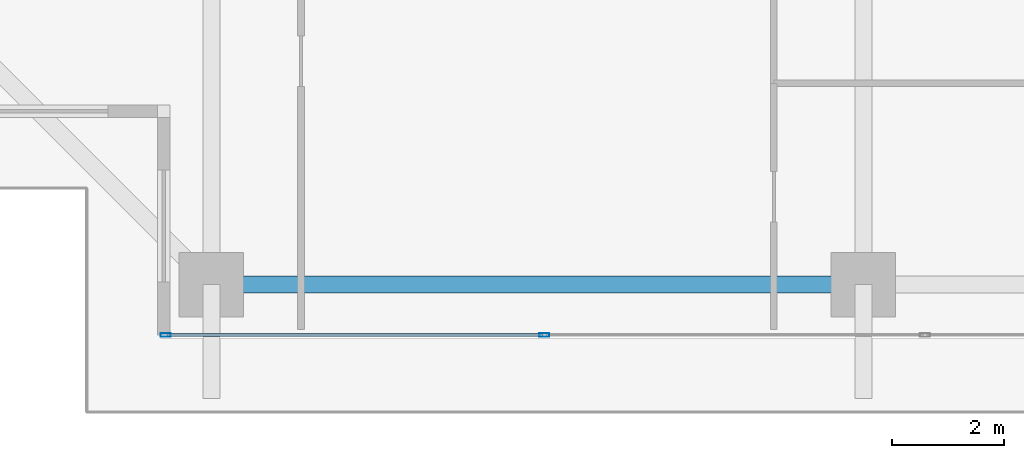
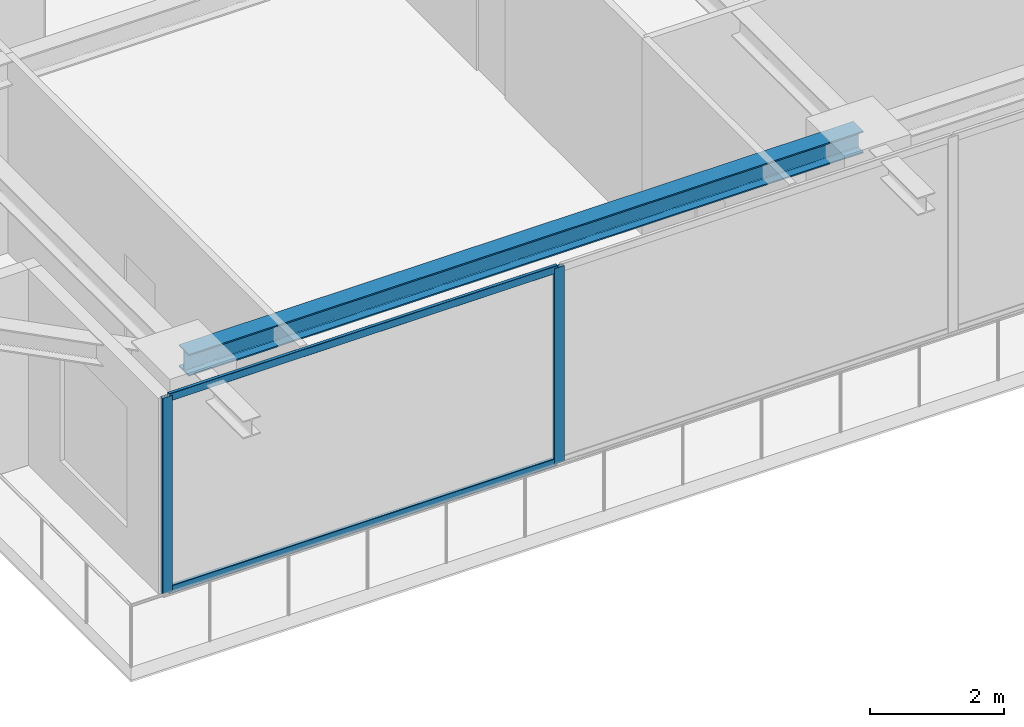
# One storey, part 2 of 37: 4 members, 1 beam, 1 element without a shape of its own.
"""IFC4 building model written with IfcOpenShell, lengths in metres."""

from ifc_helpers import new_model, si_unit, direction, frame, origin, origin_2d, place, context, subcontext, project, spatial, hollow_rectangle, i_section, extrude, source, transform, mapped, material, layer, layer_set, material_profile, profile_set, type_object, element, aggregate, save


model = new_model("IFC4")

# Units and contexts
model_context = context("Model", 3, precision=1e-05, world=origin(), true_north=direction((0.0, 1.0)))
body_context = subcontext(model_context, "Body", "Model", "MODEL_VIEW")
ifc_project = project(units=[si_unit("LENGTHUNIT", "METRE"), si_unit("AREAUNIT", "SQUARE_METRE"), si_unit("VOLUMEUNIT", "CUBIC_METRE"), si_unit("PLANEANGLEUNIT", "RADIAN"), si_unit("MASSUNIT", "GRAM", prefix="KILO")], contexts=[model_context])

# Site, building, storey
site_placement = place(None, origin())
site = spatial("IfcSite", under=ifc_project, at=site_placement, CompositionType="ELEMENT")
building_placement = place(site_placement, origin())
building = spatial("IfcBuilding", under=site, at=building_placement, Name="Serunith Strait Residences", CompositionType="ELEMENT")
storey_placement = place(building_placement, frame((0.0, 0.0, 279.75)))
storey = spatial("IfcBuildingStorey", under=building, at=storey_placement, Name="L70", CompositionType="ELEMENT", Elevation=279.75)

# Beam
ifc_material_1 = material(Name="Steel S355J2", Category="steel")
ifc_material_profile_1 = material_profile(ifc_material_1, i_section(OverallWidth=0.300048828125, OverallDepth=0.39990234375, WebThickness=0.013427734375, FlangeThickness=0.02392578125, FilletRadius=0.027099609375, at=origin_2d()), Name="HEB 400")
ifc_profile_set_1 = profile_set([ifc_material_profile_1], Name="Steel S355J2")
beam_type = type_object("IfcBeamType", Name="BM-HEB400", PredefinedType="BEAM", material=ifc_profile_set_1)
shared_shape_1 = source(origin(), body_context, "Body", "SweptSolid", [
    extrude(i_section(OverallWidth=0.300048828125, OverallDepth=0.39990234375, WebThickness=0.013427734375, FlangeThickness=0.02392578125, FilletRadius=0.027099609375, at=origin_2d()), origin(), (0.0, 0.0, 1.0), 11.64990234375),
])
beam_placement = place(storey_placement, frame((16.25, 2.10009765625, 3.386962890625), z_axis=(1.0, 0.0, 0.0), x_axis=(0.0, 1.0, 0.0)))
element("IfcBeam", 1, at=beam_placement, inside=storey, type_object=beam_type, Name="L70 Perimeter Ring Beam 01", PredefinedType="BEAM", context=body_context, shape_type="MappedRepresentation", body=[
    mapped(shared_shape_1, transform((0.0, 0.0, 0.0), scale=1.0)),
])

# Curtain wall, members
ifc_material_2 = material(Name="Pale-Champagne Anodised Aluminium", Category="aluminium")
ifc_layer = layer(ifc_material_2, 0.199951171875, Name="Pale-Champagne Anodised Aluminium")
ifc_layer_set = layer_set([ifc_layer], Name="Pale-Champagne Anodised Aluminium")
curtain_wall_type = type_object("IfcCurtainWallType", Name="CW-SYS4", PredefinedType="NOTDEFINED", material=ifc_layer_set)
curtain_wall_placement = place(storey_placement, origin())
curtain_wall = element("IfcCurtainWall", 2, at=curtain_wall_placement, inside=storey, type_object=curtain_wall_type, Name="L70 S Unitised Fritted Curtain Wall", PredefinedType="NOTDEFINED")
ifc_material_profile_2 = material_profile(ifc_material_2, hollow_rectangle(XDim=0.06494140625, YDim=0.179931640625, WallThickness=0.00341796875, InnerFilletRadius=0.00537109375, OuterFilletRadius=0.0087890625, at=origin_2d()), Name="ALU 180x65x3.5")
ifc_profile_set_2 = profile_set([ifc_material_profile_2], Name="Pale-Champagne Anodised Aluminium")
member_type_1 = type_object("IfcMemberType", Name="CW-SYS4-MULL", PredefinedType="MULLION", material=ifc_profile_set_2)
shared_shape_2 = source(origin(), body_context, "Body", "SweptSolid", [
    extrude(hollow_rectangle(XDim=0.06494140625, YDim=0.179931640625, WallThickness=0.00341796875, InnerFilletRadius=0.00537109375, OuterFilletRadius=0.0087890625, at=origin_2d()), origin(), (0.0, 0.0, 1.0), 3.574951171875),
])
member_1_placement = place(storey_placement, frame((15.4326171875, 1.199951171875, 0.0), z_axis=(0.0, 0.0, 1.0), x_axis=(0.0, 1.0, 0.0)))
member_1 = element("IfcMember", 3, at=member_1_placement, type_object=member_type_1, Name="CW-4 mullion 1", PredefinedType="MULLION", context=body_context, shape_type="MappedRepresentation", body=[
    mapped(shared_shape_2, transform((0.0, 0.0, 0.0), scale=1.0)),
])
member_2_placement = place(storey_placement, frame((22.199951171875, 1.199951171875, 0.0), z_axis=(0.0, 0.0, 1.0), x_axis=(0.0, 1.0, 0.0)))
member_2 = element("IfcMember", 4, at=member_2_placement, type_object=member_type_1, Name="CW-4 mullion 2", PredefinedType="MULLION", context=body_context, shape_type="MappedRepresentation", body=[
    mapped(shared_shape_2, transform((0.0, 0.0, 0.0), scale=1.0)),
])
ifc_material_profile_3 = material_profile(ifc_material_2, hollow_rectangle(XDim=0.06005859375, YDim=0.139892578125, WallThickness=0.00341796875, InnerFilletRadius=0.00537109375, OuterFilletRadius=0.0087890625, at=origin_2d()), Name="ALU 140x60x3.5")
ifc_profile_set_3 = profile_set([ifc_material_profile_3], Name="Pale-Champagne Anodised Aluminium")
member_type_2 = type_object("IfcMemberType", Name="CW-SYS4-TRAN", PredefinedType="USERDEFINED", material=ifc_profile_set_3)
shared_shape_3 = source(origin(), body_context, "Body", "SweptSolid", [
    extrude(hollow_rectangle(XDim=0.06005859375, YDim=0.139892578125, WallThickness=0.00341796875, InnerFilletRadius=0.00537109375, OuterFilletRadius=0.0087890625, at=origin_2d()), origin(), (0.0, 0.0, 1.0), 6.702392578125),
])
member_3_placement = place(storey_placement, frame((15.465087890625, 1.199951171875, 0.030029296875), z_axis=(1.0, 0.0, 0.0), x_axis=(0.0, 1.0, 0.0)))
member_3 = element("IfcMember", 5, at=member_3_placement, type_object=member_type_2, Name="CW-4 transom 1.1", ObjectType="TRANSOM", PredefinedType="USERDEFINED", context=body_context, shape_type="MappedRepresentation", body=[
    mapped(shared_shape_3, transform((0.0, 0.0, 0.0), scale=1.0)),
])
member_4_placement = place(storey_placement, frame((15.465087890625, 1.199951171875, 3.544921875), z_axis=(1.0, 0.0, 0.0), x_axis=(0.0, 1.0, 0.0)))
member_4 = element("IfcMember", 6, at=member_4_placement, type_object=member_type_2, Name="CW-4 transom 1.2", ObjectType="TRANSOM", PredefinedType="USERDEFINED", context=body_context, shape_type="MappedRepresentation", body=[
    mapped(shared_shape_3, transform((0.0, 0.0, 0.0), scale=1.0)),
])
aggregate(curtain_wall, [member_1, member_2, member_3, member_4])

save(model, "model.ifc")
